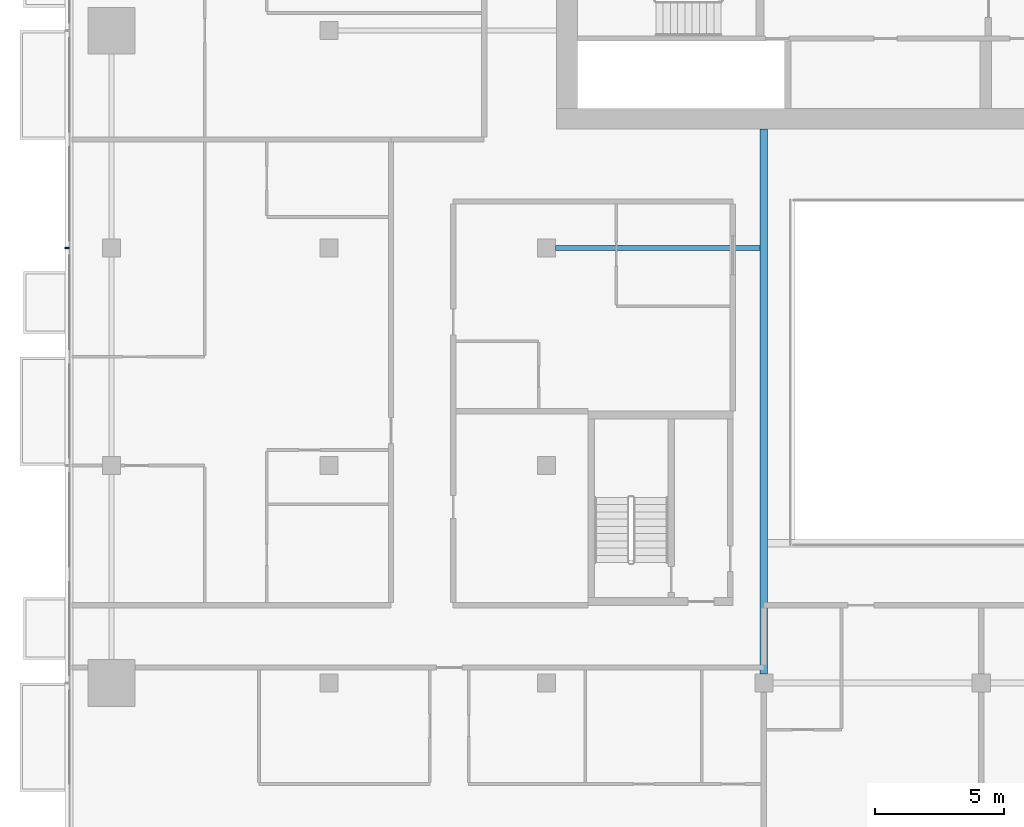
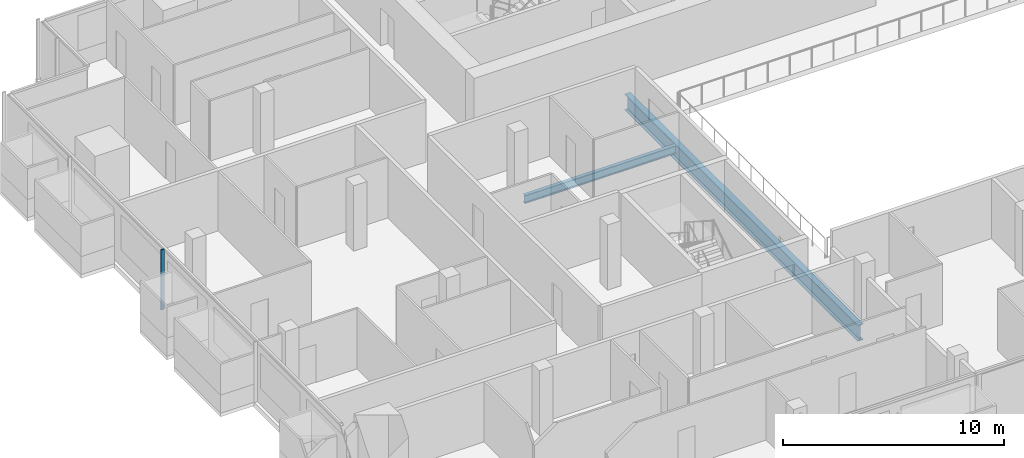
# One storey, part 4 of 28: 2 beams, 1 member, 1 element without a shape of its own.
"""IFC4 building model written with IfcOpenShell, lengths in metres."""

from ifc_helpers import new_model, si_unit, direction, frame, origin, origin_2d, place, context, subcontext, project, spatial, rectangle, i_section, extrude, material, material_profile, profile_set, type_object, element, aggregate, save


model = new_model("IFC4")

# Units and contexts
model_context = context("Model", 3, precision=1e-05, world=origin(), true_north=direction((0.0, 1.0)))
body_context = subcontext(model_context, "Body", "Model", "MODEL_VIEW")
ifc_project = project(units=[si_unit("LENGTHUNIT", "METRE"), si_unit("AREAUNIT", "SQUARE_METRE"), si_unit("VOLUMEUNIT", "CUBIC_METRE"), si_unit("PLANEANGLEUNIT", "RADIAN"), si_unit("MASSUNIT", "GRAM", prefix="KILO")], contexts=[model_context])

# Site, building, storey
site_placement = place(None, origin())
site = spatial("IfcSite", under=ifc_project, at=site_placement, CompositionType="ELEMENT")
building_placement = place(site_placement, origin())
building = spatial("IfcBuilding", under=site, at=building_placement, Name="Saffron Gate Tower", CompositionType="ELEMENT")
storey_placement = place(building_placement, frame((0.0, 0.0, 154.64990234375)))
storey = spatial("IfcBuildingStorey", under=building, at=storey_placement, Name="L37", CompositionType="ELEMENT", Elevation=154.64990234375)

# Beams
ifc_material_1 = material(Name="Structural steel S355", Category="steel")
ifc_material_profile_1 = material_profile(ifc_material_1, i_section(OverallWidth=0.300048828125, OverallDepth=0.889892578125, WebThickness=0.01611328125, FlangeThickness=0.030029296875, FilletRadius=0.030029296875, at=origin_2d()))
ifc_profile_set_1 = profile_set([ifc_material_profile_1], Name="Structural steel S355")
beam_type_1 = type_object("IfcBeamType", Name="B19 HEA 900", PredefinedType="BEAM", material=ifc_profile_set_1)
beam_1_placement = place(storey_placement, frame((75.0, 40.550048828125, -0.724853515625), z_axis=(0.0, 1.0, 0.0), x_axis=(-1.0, 0.0, 0.0)))
element("IfcBeam", 1, at=beam_1_placement, inside=storey, type_object=beam_type_1, Name="B19 ATRIUM GIRDER", PredefinedType="BEAM", context=body_context, shape_type="SweptSolid", body=[
    extrude(i_section(OverallWidth=0.300048828125, OverallDepth=0.889892578125, WebThickness=0.01611328125, FlangeThickness=0.030029296875, FilletRadius=0.030029296875, at=origin_2d()), origin(), (0.0, 0.0, 1.0), 21.050048828125),
])
ifc_material_profile_2 = material_profile(ifc_material_1, i_section(OverallWidth=0.18994140625, OverallDepth=0.449951171875, WebThickness=0.009521484375, FlangeThickness=0.0146484375, FilletRadius=0.02099609375, at=origin_2d()))
ifc_profile_set_2 = profile_set([ifc_material_profile_2], Name="Structural steel S355")
beam_type_2 = type_object("IfcBeamType", Name="B6 IPE 450", PredefinedType="BEAM", material=ifc_profile_set_2)
beam_2_placement = place(storey_placement, frame((66.949951171875, 57.0, -0.5048828125), z_axis=(1.0, 0.0, 0.0), x_axis=(0.0, 1.0, 0.0)))
element("IfcBeam", 2, at=beam_2_placement, inside=storey, type_object=beam_type_2, Name="B6 CORE TIE BEAM", PredefinedType="BEAM", context=body_context, shape_type="SweptSolid", body=[
    extrude(i_section(OverallWidth=0.18994140625, OverallDepth=0.449951171875, WebThickness=0.009521484375, FlangeThickness=0.0146484375, FilletRadius=0.02099609375, at=origin_2d()), origin(), (0.0, 0.0, 1.0), 7.900146484375),
])

# Curtain wall, member
ifc_material_2 = material(Name="Aluminium, bronze anodised", Category="aluminium")
curtain_wall_type = type_object("IfcCurtainWallType", Name="CWS2 curtain wall side facades", PredefinedType="NOTDEFINED", material=ifc_material_2)
curtain_wall_placement = place(storey_placement, origin())
curtain_wall = element("IfcCurtainWall", 3, at=curtain_wall_placement, inside=storey, type_object=curtain_wall_type, Name="CWS2 run 10", PredefinedType="NOTDEFINED")
ifc_material_profile_3 = material_profile(ifc_material_2, rectangle(XDim=0.159912109375, YDim=0.06005859375, at=origin_2d()))
ifc_profile_set_3 = profile_set([ifc_material_profile_3], Name="Aluminium, bronze anodised")
member_type = type_object("IfcMemberType", Name="CWS2 mullion 60x160", PredefinedType="MULLION", material=ifc_profile_set_3)
member_placement = place(storey_placement, frame((48.080078125, 57.0, 0.0), z_axis=(0.0, 0.0, 1.0), x_axis=(1.0, 0.0, 0.0)))
member = element("IfcMember", 4, at=member_placement, type_object=member_type, Name="CWS2 mullion 3", PredefinedType="MULLION", context=body_context, shape_type="SweptSolid", body=[
    extrude(rectangle(XDim=0.159912109375, YDim=0.06005859375, at=origin_2d()), origin(), (0.0, 0.0, 1.0), 3.320068359375),
])
aggregate(curtain_wall, [member])

save(model, "model.ifc")
